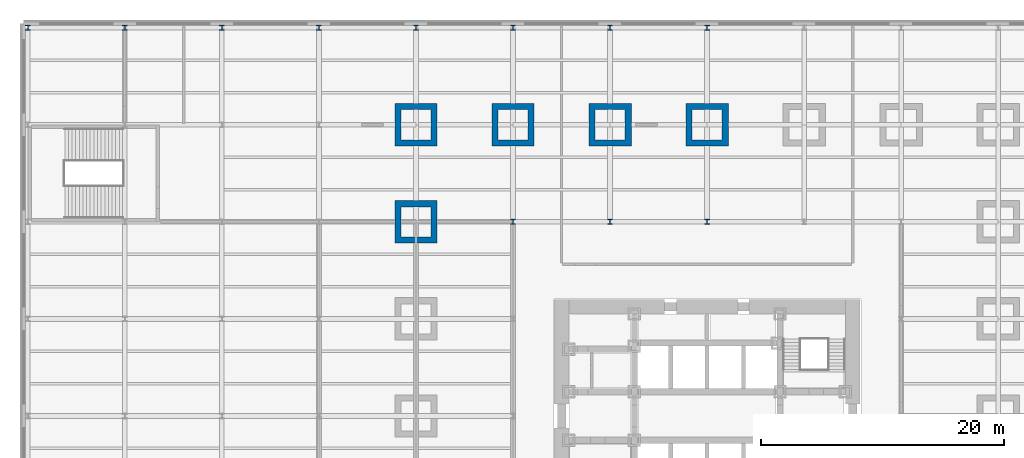
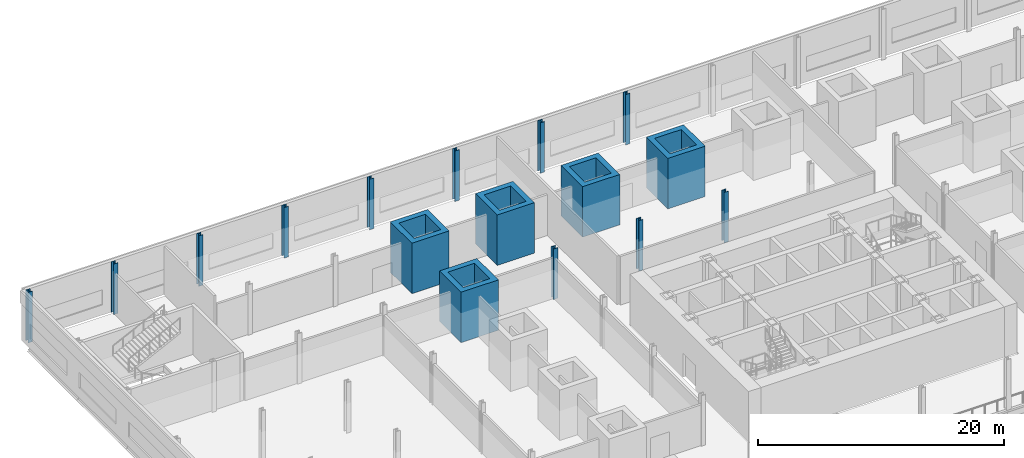
# One storey, part 5 of 22: 16 columns.
"""IFC4 building model written with IfcOpenShell, lengths in metres."""

import ifcopenshell
import ifcopenshell.guid

model = None  # the IFC model being written
_history = None  # IfcOwnerHistory: only IFC2X3 demands one
_inside = {}  # id of a spatial element -> (the spatial element, [elements in it])
_under = {}  # id of a project, library or spatial element -> (it, [spatial elements below it])
_declared = {}  # id of a project -> (the project, [libraries it declares])
_typed = {}  # id of a type object -> (the type object, [elements of that type])
_made_of = {}  # id of a material, layer set ... -> (it, [elements and type objects made of it])


def new_model(schema):
    """Start an empty IFC model of exactly this schema.

    Asked for "IFC4X3", IfcOpenShell would pick the latest addendum, in which some entities
    have other attributes; the version numbers below select the first issue.
    IFC2X3 requires an IfcOwnerHistory on every rooted entity: one is made here for all.
    """
    global model, _history
    if schema == "IFC4X3":
        model = ifcopenshell.file(schema_version=(4, 3, 0, 0))
    else:
        model = ifcopenshell.file(schema=schema)
    _inside.clear()
    _under.clear()
    _declared.clear()
    _typed.clear()
    _made_of.clear()
    _history = None
    if model.schema == "IFC2X3":
        org = make("IfcOrganization", Name="unknown")
        user = make(
            "IfcPersonAndOrganization",
            ThePerson=make("IfcPerson", FamilyName="unknown"),
            TheOrganization=org,
        )
        app = make(
            "IfcApplication",
            ApplicationDeveloper=org,
            Version="unknown",
            ApplicationFullName="unknown",
            ApplicationIdentifier="unknown",
        )
        _history = make(
            "IfcOwnerHistory",
            OwningUser=user,
            OwningApplication=app,
            ChangeAction="ADDED",
            CreationDate=0,
        )
    return model


def make(cls, **values):
    """One entity of the class cls with the attributes given. An attribute that is None is left unset."""
    return model.create_entity(
        cls, **{name: value for name, value in values.items() if value is not None}
    )


def rooted(cls, **values):
    """An entity with a GlobalId (a new one), such as an element, a storey or a relation."""
    return make(cls, GlobalId=ifcopenshell.guid.new(), OwnerHistory=_history, **values)


def si_unit(unit_type, name, prefix=None):
    """IfcSIUnit, for example si_unit("LENGTHUNIT", "METRE", prefix="MILLI")."""
    return make("IfcSIUnit", UnitType=unit_type, Prefix=prefix, Name=name)


def assignment(units):
    """IfcUnitAssignment: the units of a project."""
    return None if units is None else make("IfcUnitAssignment", Units=units)


def point(xyz):
    """IfcCartesianPoint."""
    return None if xyz is None else make("IfcCartesianPoint", Coordinates=xyz)


def direction(xyz):
    """IfcDirection."""
    return None if xyz is None else make("IfcDirection", DirectionRatios=xyz)


def frame(location, z_axis=None, x_axis=None):
    """IfcAxis2Placement3D, a coordinate frame: its origin and axes. An axis left out is left unset."""
    return make(
        "IfcAxis2Placement3D",
        Location=point(location),
        Axis=direction(z_axis),
        RefDirection=direction(x_axis),
    )


def frame_2d(location, x_axis=None):
    """IfcAxis2Placement2D, a coordinate frame in the plane: its origin and x axis."""
    return make(
        "IfcAxis2Placement2D", Location=point(location), RefDirection=direction(x_axis)
    )


def origin():
    """The frame at (0, 0, 0) with its axes left unset."""
    return frame((0.0, 0.0, 0.0))


def origin_2d():
    """The frame at (0, 0) in the plane with its x axis left unset."""
    return frame_2d((0.0, 0.0))


def place(relative_to, where):
    """IfcLocalPlacement: puts the frame where relative to a parent placement (None: the world)."""
    return make(
        "IfcLocalPlacement", PlacementRelTo=relative_to, RelativePlacement=where
    )


def context(
    kind, dimensions, precision=None, world=None, true_north=None, identifier=None
):
    """IfcGeometricRepresentationContext, for example the 3D "Model" context."""
    return make(
        "IfcGeometricRepresentationContext",
        ContextIdentifier=identifier,
        ContextType=kind,
        CoordinateSpaceDimension=dimensions,
        Precision=precision,
        WorldCoordinateSystem=world,
        TrueNorth=true_north,
    )


def subcontext(parent, identifier, kind, view, scale=None):
    """IfcGeometricRepresentationSubContext, for example "Body" below "Model"."""
    return make(
        "IfcGeometricRepresentationSubContext",
        ContextIdentifier=identifier,
        ContextType=kind,
        ParentContext=parent,
        TargetScale=scale,
        TargetView=view,
    )


def project(units=None, contexts=None):
    """IfcProject with its units and contexts."""
    return rooted(
        "IfcProject",
        Name="project",
        RepresentationContexts=contexts,
        UnitsInContext=assignment(units),
    )


def spatial(cls, under=None, at=None, **own):
    """A site, building, storey or space (cls), placed at a placement, below another one or the project."""
    s = rooted(cls, ObjectPlacement=at, **own)
    if under is not None:
        _under.setdefault(under.id(), (under, []))[1].append(s)
    return s


def profile(cls, at=None, kind="AREA", **sizes):
    """A parametric profile (cls). Its sizes go by their IFC names, for example OverallWidth=200.0."""
    return make(cls, ProfileType=kind, Position=at, **sizes)


def hollow_rectangle(**sizes):
    """IfcRectangleHollowProfileDef."""
    return profile("IfcRectangleHollowProfileDef", **sizes)


def i_section(**sizes):
    """IfcIShapeProfileDef."""
    return profile("IfcIShapeProfileDef", **sizes)


def extrude(swept, where, along, depth):
    """IfcExtrudedAreaSolid: the profile swept, set in the frame where, extruded along a direction by depth."""
    return make(
        "IfcExtrudedAreaSolid",
        SweptArea=swept,
        Position=where,
        ExtrudedDirection=direction(along),
        Depth=depth,
    )


def shape(context_of_items, identifier, shape_type, items):
    """IfcShapeRepresentation: the items that make up one representation, for example the "Body"."""
    return make(
        "IfcShapeRepresentation",
        ContextOfItems=context_of_items,
        RepresentationIdentifier=identifier,
        RepresentationType=shape_type,
        Items=items,
    )


def material(Name=None, Category=None):
    """IfcMaterial."""
    return make("IfcMaterial", Name=Name, Category=Category)


def material_profile(
    of_material, cross_section, Name=None, Category=None, Priority=None
):
    """IfcMaterialProfile: a cross section and its material."""
    return make(
        "IfcMaterialProfile",
        Name=Name,
        Material=of_material,
        Profile=cross_section,
        Priority=Priority,
        Category=Category,
    )


def profile_set(profiles, Name=None, composite=None):
    """IfcMaterialProfileSet."""
    return make(
        "IfcMaterialProfileSet",
        Name=Name,
        MaterialProfiles=profiles,
        CompositeProfile=composite,
    )


def made_of(thing, what):
    """Note that an element or type object is made of a material, layer set ...; save() writes the relation."""
    if what is not None:
        _made_of.setdefault(what.id(), (what, []))[1].append(thing)
    return thing


def type_object(cls, material=None, **own):
    """A type object (cls), such as IfcWallType, which elements share."""
    return made_of(rooted(cls, **own), material)


def element(
    cls,
    number,
    at=None,
    inside=None,
    cuts=None,
    type_object=None,
    material=None,
    context=None,
    identifier="Body",
    shape_type=None,
    held_by="IfcProductDefinitionShape",
    body=None,
    shapes=None,
    **own,
):
    """One element of the class cls, such as IfcWall. Its Tag is "e" and its number.

    at: its placement. inside: the storey or other place that contains it. cuts: it is an
    opening in that element (IfcRelVoidsElement). A single representation is given by context,
    identifier, shape_type and body (its items); several are given by shapes. held_by: the class
    of the entity that holds the representations. save() writes the other relations.
    """
    e = rooted(cls, Tag="e%d" % number, ObjectPlacement=at, **own)
    if body is not None:
        shapes = [shape(context, identifier, shape_type, body)]
    if shapes is not None:
        e.Representation = make(held_by, Representations=shapes)
    if inside is not None:
        _inside.setdefault(inside.id(), (inside, []))[1].append(e)
    if cuts is not None:
        rooted(
            "IfcRelVoidsElement", RelatingBuildingElement=cuts, RelatedOpeningElement=e
        )
    if type_object is not None:
        _typed.setdefault(type_object.id(), (type_object, []))[1].append(e)
    return made_of(e, material)


def aggregate(whole, parts):
    """IfcRelAggregates: a whole, such as a stair, and the parts it consists of."""
    return rooted("IfcRelAggregates", RelatingObject=whole, RelatedObjects=parts)


def save(model, path):
    """Write the relations noted so far, then the file.

    IfcRelAggregates (storeys below a building ...), IfcRelContainedInSpatialStructure (elements
    in a storey), IfcRelDefinesByType, IfcRelAssociatesMaterial and IfcRelDeclares: one each for
    every whole, place, type object, material and project.
    """
    for whole, parts in _under.values():
        aggregate(whole, parts)
    for where, things in _inside.values():
        rooted(
            "IfcRelContainedInSpatialStructure",
            RelatedElements=things,
            RelatingStructure=where,
        )
    for kind, things in _typed.values():
        rooted("IfcRelDefinesByType", RelatedObjects=things, RelatingType=kind)
    for what, things in _made_of.values():
        rooted("IfcRelAssociatesMaterial", RelatedObjects=things, RelatingMaterial=what)
    for by, libraries in _declared.values():
        rooted("IfcRelDeclares", RelatingContext=by, RelatedDefinitions=libraries)
    model.write(path)


model = new_model("IFC4")

# Units and contexts
model_context = context("Model", 3, precision=1e-05, world=origin(), true_north=direction((0.0, 1.0)))
body_context = subcontext(model_context, "Body", "Model", "MODEL_VIEW")
ifc_project = project(units=[si_unit("LENGTHUNIT", "METRE"), si_unit("AREAUNIT", "SQUARE_METRE"), si_unit("VOLUMEUNIT", "CUBIC_METRE"), si_unit("PLANEANGLEUNIT", "RADIAN"), si_unit("MASSUNIT", "GRAM", prefix="KILO")], contexts=[model_context])

# Site, building, storey
site_placement = place(None, origin())
site = spatial("IfcSite", under=ifc_project, at=site_placement, CompositionType="ELEMENT")
building_placement = place(site_placement, origin())
building = spatial("IfcBuilding", under=site, at=building_placement, Name="Daluyong Arena Tower", CompositionType="ELEMENT")
storey_placement = place(building_placement, frame((0.0, 0.0, 9.89990234375)))
storey = spatial("IfcBuildingStorey", under=building, at=storey_placement, Name="L02", CompositionType="ELEMENT", Elevation=9.89990234375)

# Columns
ifc_material_1 = material(Name="Steel ASTM A992 Grade 50", Category="steel")
ifc_material_profile_1 = material_profile(ifc_material_1, i_section(OverallWidth=0.406494140625, OverallDepth=0.41650390625, WebThickness=0.030029296875, FlangeThickness=0.048095703125, at=origin_2d()))
ifc_profile_set_1 = profile_set([ifc_material_profile_1], Name="Steel ASTM A992 Grade 50")
column_type_1 = type_object("IfcColumnType", Name="Podium column W14X257", PredefinedType="COLUMN", material=ifc_profile_set_1)
for number, where, z_axis, x_axis, name in (
    (1, (0.0, 112.0, 0.0), (0.0, 0.0, 1.0), (1.0, 0.0, 0.0), "podium column PC2"),
    (2, (8.0, 112.0, 0.0), (0.0, 0.0, 1.0), (1.0, 0.0, 0.0), "podium column PC2"),
    (3, (16.0, 112.0, 0.0), (0.0, 0.0, 1.0), (1.0, 0.0, 0.0), "podium column PC2"),
    (4, (24.0, 112.0, 0.0), (0.0, 0.0, 1.0), (1.0, 0.0, 0.0), "podium column PC2"),
    (5, (32.0, 112.0, 0.0), (0.0, 0.0, 1.0), (1.0, 0.0, 0.0), "podium column PC2"),
    (6, (40.0, 96.0, 0.0), (0.0, 0.0, 1.0), (1.0, 0.0, 0.0), "podium column PC2"),
    (7, (40.0, 112.0, 0.0), (0.0, 0.0, 1.0), (1.0, 0.0, 0.0), "podium column PC2"),
    (8, (48.0, 96.0, 0.0), (0.0, 0.0, 1.0), (1.0, 0.0, 0.0), "podium column PC2"),
    (9, (48.0, 112.0, 0.0), (0.0, 0.0, 1.0), (1.0, 0.0, 0.0), "podium column PC2"),
    (10, (56.0, 96.0, 0.0), (0.0, 0.0, 1.0), (1.0, 0.0, 0.0), "podium column PC2"),
    (11, (56.0, 112.0, 0.0), (0.0, 0.0, 1.0), (1.0, 0.0, 0.0), "podium column PC2"),
):
    element("IfcColumn", number, at=place(storey_placement, frame(where, z_axis=z_axis, x_axis=x_axis)), inside=storey, type_object=column_type_1, Name=name, PredefinedType="COLUMN", context=body_context, shape_type="SweptSolid", body=[
        extrude(i_section(OverallWidth=0.406494140625, OverallDepth=0.41650390625, WebThickness=0.030029296875, FlangeThickness=0.048095703125, at=origin_2d()), origin(), (0.0, 0.0, 1.0), 5.0),
    ])
ifc_material_2 = material(Name="Steel ASTM A36", Category="steel")
ifc_material_profile_2 = material_profile(ifc_material_2, hollow_rectangle(XDim=3.5, YDim=3.5, WallThickness=0.5, at=origin_2d()))
ifc_profile_set_2 = profile_set([ifc_material_profile_2], Name="Steel ASTM A36")
column_type_2 = type_object("IfcColumnType", Name="Podium megacolumn BX3500X500", PredefinedType="COLUMN", material=ifc_profile_set_2)
for number, where, z_axis, x_axis, name in (
    (12, (32.0, 96.0, 0.0), (0.0, 0.0, 1.0), (1.0, 0.0, 0.0), "podium megacolumn MC1"),
    (13, (32.0, 104.0, 0.0), (0.0, 0.0, 1.0), (1.0, 0.0, 0.0), "podium megacolumn MC1"),
    (14, (40.0, 104.0, 0.0), (0.0, 0.0, 1.0), (1.0, 0.0, 0.0), "podium megacolumn MC1"),
    (15, (48.0, 104.0, 0.0), (0.0, 0.0, 1.0), (1.0, 0.0, 0.0), "podium megacolumn MC1"),
    (16, (56.0, 104.0, 0.0), (0.0, 0.0, 1.0), (1.0, 0.0, 0.0), "podium megacolumn MC1"),
):
    element("IfcColumn", number, at=place(storey_placement, frame(where, z_axis=z_axis, x_axis=x_axis)), inside=storey, type_object=column_type_2, Name=name, PredefinedType="COLUMN", context=body_context, shape_type="SweptSolid", body=[
        extrude(hollow_rectangle(XDim=3.5, YDim=3.5, WallThickness=0.5, at=origin_2d()), origin(), (0.0, 0.0, 1.0), 5.0),
    ])

save(model, "model.ifc")
